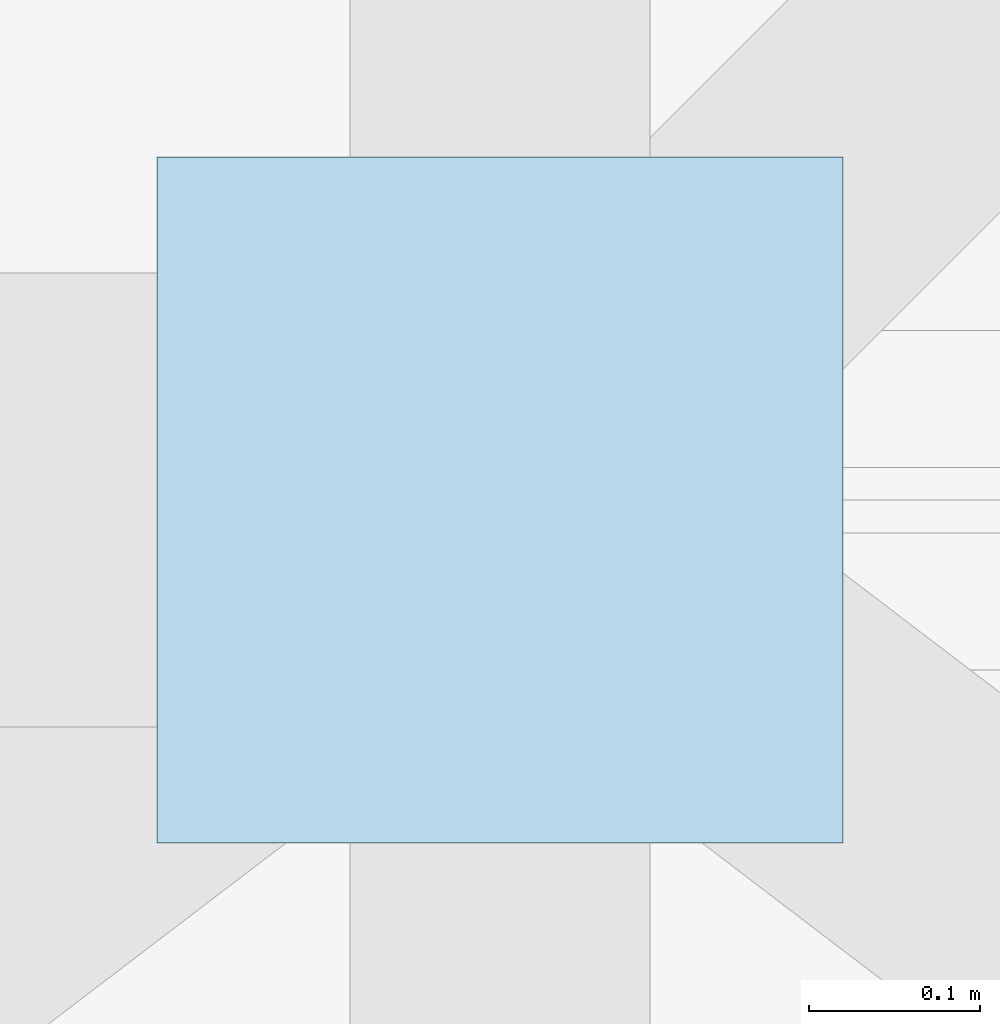
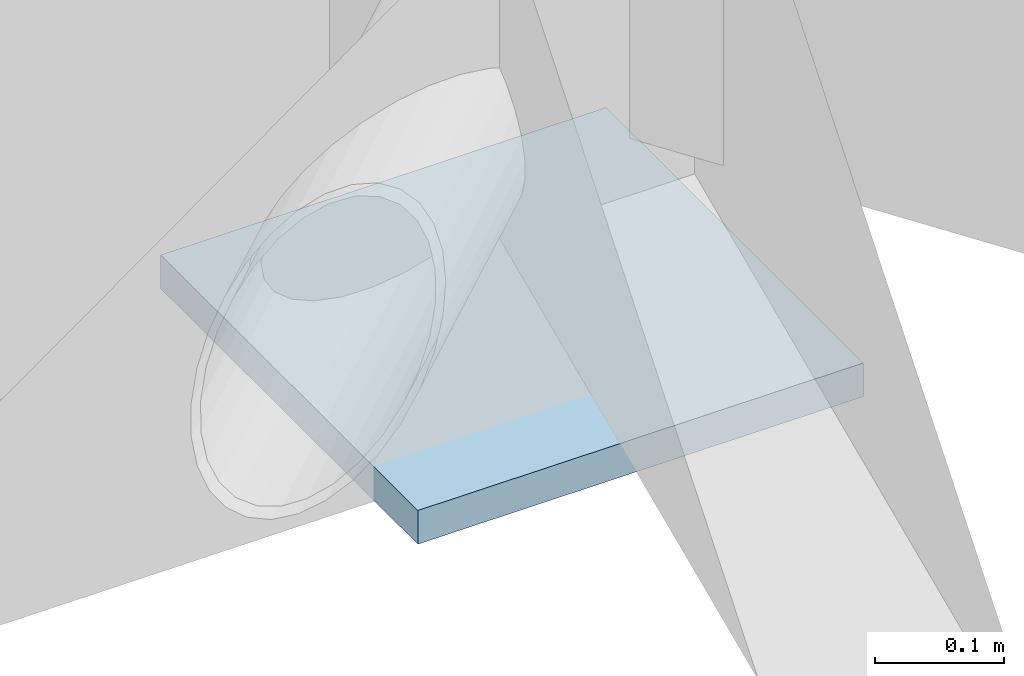
# One storey, part 12 of 22: 1 plate.
"""IFC4 building model written with IfcOpenShell, lengths in metres."""

from ifc_helpers import new_model, si_unit, direction, frame, origin, origin_2d, place, context, subcontext, project, spatial, rectangle, extrude, material, layer, layer_set, type_object, element, save


model = new_model("IFC4")

# Units and contexts
model_context = context("Model", 3, precision=1e-05, world=origin(), true_north=direction((0.0, 1.0)))
body_context = subcontext(model_context, "Body", "Model", "MODEL_VIEW")
ifc_project = project(units=[si_unit("LENGTHUNIT", "METRE"), si_unit("AREAUNIT", "SQUARE_METRE"), si_unit("VOLUMEUNIT", "CUBIC_METRE"), si_unit("PLANEANGLEUNIT", "RADIAN"), si_unit("MASSUNIT", "GRAM", prefix="KILO")], contexts=[model_context])

# Site, building, storey
site_placement = place(None, origin())
site = spatial("IfcSite", under=ifc_project, at=site_placement, CompositionType="ELEMENT")
building_placement = place(site_placement, origin())
building = spatial("IfcBuilding", under=site, at=building_placement, Name="Varncliffe General Hospital", CompositionType="ELEMENT")
storey_placement = place(building_placement, frame((0.0, 0.0, 33.0)))
storey = spatial("IfcBuildingStorey", under=building, at=storey_placement, Name="L07", CompositionType="ELEMENT", Elevation=33.0)

# Plate
ifc_material = material(Name="Steel S355 (CSA G40.21 350W)", Category="steel")
ifc_layer = layer(ifc_material, 0.031982421875)
ifc_layer_set = layer_set([ifc_layer], Name="Steel S355 (CSA G40.21 350W)")
plate_type = type_object("IfcPlateType", Name="Steel Gusset and End Plate GP16 (32mm)", PredefinedType="SHEET", material=ifc_layer_set)
plate_placement = place(storey_placement, frame((16.800048828125, 97.60009765625, 2.650390625), z_axis=(0.0, 0.0, 1.0), x_axis=(1.0, 0.0, 0.0)))
element("IfcPlate", 1, at=plate_placement, inside=storey, type_object=plate_type, Name="L07 RF-V6-SW2 Lateral Brace Gusset Plate 1", PredefinedType="SHEET", context=body_context, shape_type="SweptSolid", body=[
    extrude(rectangle(XDim=0.39990234375, YDim=0.39990234375, at=origin_2d()), origin(), (0.0, 0.0, 1.0), 0.031982421875),
])

save(model, "model.ifc")
